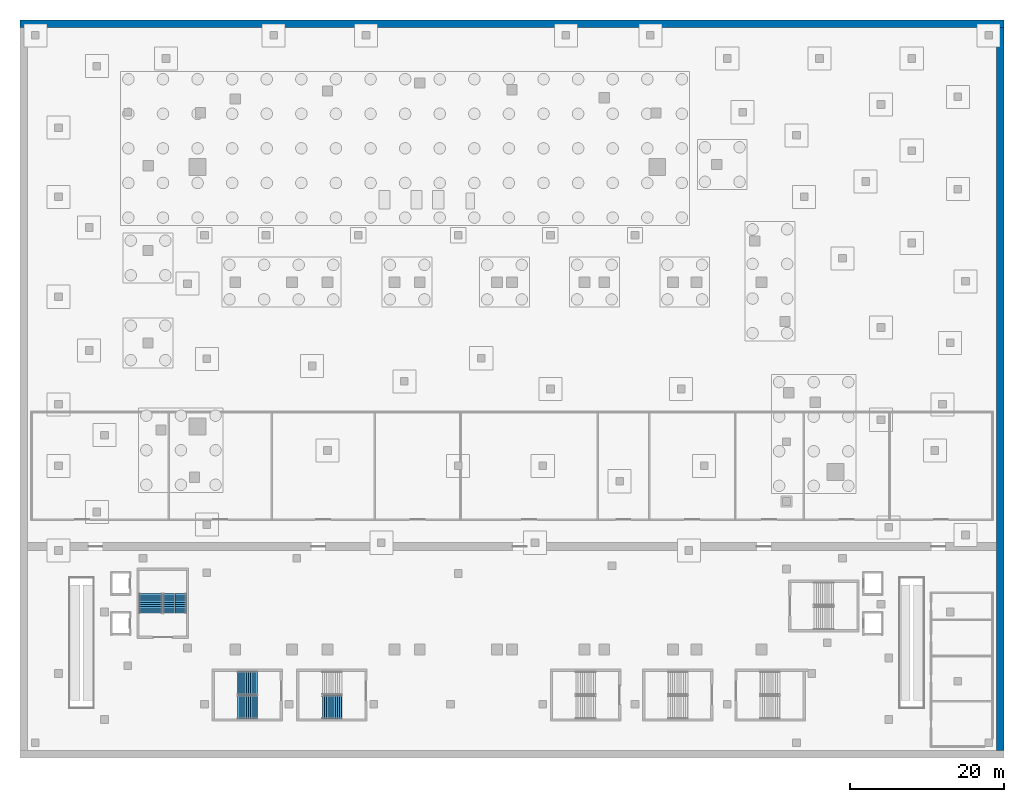
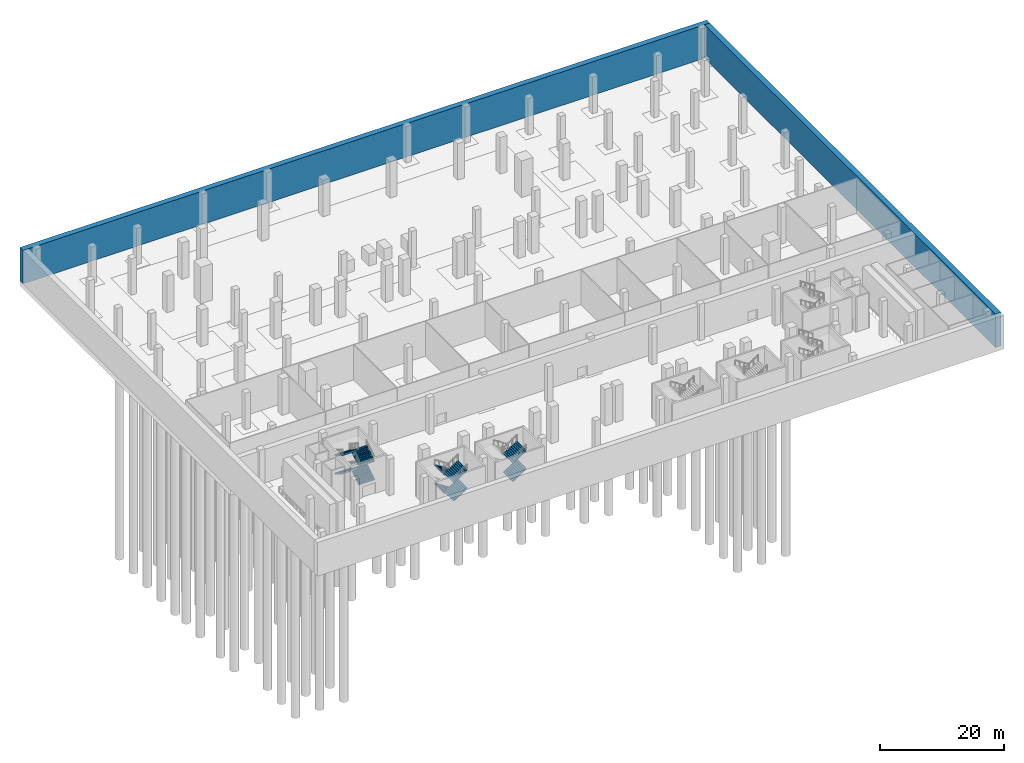
# One storey, part 8 of 15: 10 stair flights, 2 walls, 3 elements without a shape of their own.
"""IFC4 building model written with IfcOpenShell, lengths in metres."""

from ifc_helpers import new_model, si_unit, direction, frame, frame_2d, origin, place, context, subcontext, project, spatial, polyline, rectangle, outline, extrude, material, layer, layer_set, type_object, element, aggregate, save


model = new_model("IFC4")

# Units and contexts
model_context = context("Model", 3, precision=1e-05, world=origin(), true_north=direction((0.0, 1.0)))
body_context = subcontext(model_context, "Body", "Model", "MODEL_VIEW")
ifc_project = project(units=[si_unit("LENGTHUNIT", "METRE"), si_unit("AREAUNIT", "SQUARE_METRE"), si_unit("VOLUMEUNIT", "CUBIC_METRE"), si_unit("PLANEANGLEUNIT", "RADIAN"), si_unit("MASSUNIT", "GRAM", prefix="KILO")], contexts=[model_context])

# Site, building, storey
site_placement = place(None, origin())
site = spatial("IfcSite", under=ifc_project, at=site_placement, CompositionType="ELEMENT")
building_placement = place(site_placement, origin())
building = spatial("IfcBuilding", under=site, at=building_placement, Name="Wharfspan Tower", CompositionType="ELEMENT")
storey_placement = place(building_placement, frame((0.0, 0.0, -7.199951)))
storey = spatial("IfcBuildingStorey", under=building, at=storey_placement, Name="B1", CompositionType="ELEMENT", Elevation=-7.199951)

# Walls
ifc_material_1 = material(Name="Concrete C35/45", Category="concrete")
ifc_layer = layer(ifc_material_1, 1.0)
ifc_layer_set = layer_set([ifc_layer], Name="Concrete C35/45")
wall_type = type_object("IfcWallType", Name="Diaphragm wall 1000", PredefinedType="SOLIDWALL", material=ifc_layer_set)
wall_1_placement = place(storey_placement, frame((-16.0, 59.5, 0.0), z_axis=(0.0, 0.0, 1.0), x_axis=(1.0, 0.0, 0.0)))
element("IfcWall", 1, at=wall_1_placement, inside=storey, type_object=wall_type, Name="Diaphragm wall", PredefinedType="SOLIDWALL", context=body_context, shape_type="SweptSolid", body=[
    extrude(rectangle(XDim=128.0, YDim=1.0, at=frame_2d((64.0, 0.0))), origin(), (0.0, 0.0, 1.0), 6.599854),
])
wall_2_placement = place(storey_placement, frame((111.5, -35.0, 0.0), z_axis=(0.0, 0.0, 1.0), x_axis=(0.0, 1.0, 0.0)))
element("IfcWall", 2, at=wall_2_placement, inside=storey, type_object=wall_type, Name="Diaphragm wall", PredefinedType="SOLIDWALL", context=body_context, shape_type="SweptSolid", body=[
    extrude(rectangle(XDim=94.0, YDim=1.0, at=frame_2d((47.0, 0.0))), origin(), (0.0, 0.0, 1.0), 6.599854),
])

# Stair, stair flights
ifc_material_2 = material(Name="Concrete C40/50", Category="concrete")
stair_type = type_object("IfcStairType", Name="Half-turn stair 3000 wide 40 risers 180 mm", PredefinedType="HALF_TURN_STAIR", material=ifc_material_2)
stair_1_placement = place(storey_placement, origin())
stair_1 = element("IfcStair", 3, at=stair_1_placement, inside=storey, type_object=stair_type, Name="B1 stair SB1", PredefinedType="HALF_TURN_STAIR")
stair_flight_type = type_object("IfcStairFlightType", Name="Stair flight 3000 wide 40 risers 180 mm", PredefinedType="STRAIGHT", material=ifc_material_2)
stair_flight_1_placement = place(storey_placement, frame((14.850098, -26.25, 0.0), z_axis=(0.0, 0.0, 1.0), x_axis=(-1.0, 0.0, 0.0)))
stair_flight_1 = element("IfcStairFlight", 4, at=stair_flight_1_placement, type_object=stair_flight_type, Name="SB1 flight 1", NumberOfRisers=10, NumberOfTreads=9, PredefinedType="STRAIGHT", RiserHeight=0.18, TreadLength=0.28, context=body_context, shape_type="SweptSolid", body=[
    extrude(outline(polyline([(-0.011963, 0.0), (-0.011963, 0.179932), (0.0, 0.179932), (0.280029, 0.179932), (0.280029, 0.360107), (0.560059, 0.360107), (0.560059, 0.540039), (0.840088, 0.540039), (0.840088, 0.719971), (1.120117, 0.719971), (1.120117, 0.899902), (1.399902, 0.899902), (1.399902, 1.080078), (1.679932, 1.080078), (1.679932, 1.26001), (1.959961, 1.26001), (1.959961, 1.439941), (2.23999, 1.439941), (2.23999, 1.620117), (2.52002, 1.620117), (2.531982, 1.800049), (2.531982, 1.441895), (0.2771, 0.0), (-0.011963, 0.0)])), frame((0.0, 1.5, 0.0), z_axis=(0.0, -1.0, 0.0), x_axis=(1.0, 0.0, 0.0)), (0.0, 0.0, 1.0), 1.479492),
    extrude(outline(polyline([(-0.011963, 0.0), (-0.011963, 0.179932), (0.0, 0.179932), (0.280029, 0.179932), (0.280029, 0.360107), (0.560059, 0.360107), (0.560059, 0.540039), (0.840088, 0.540039), (0.840088, 0.719971), (1.120117, 0.719971), (1.120117, 0.899902), (1.399902, 0.899902), (1.399902, 1.080078), (1.679932, 1.080078), (1.679932, 1.26001), (1.959961, 1.26001), (1.959961, 1.439941), (2.23999, 1.439941), (2.23999, 1.620117), (2.52002, 1.620117), (2.531982, 1.800049), (2.531982, 1.441895), (0.2771, 0.0), (-0.011963, 0.0)])), frame((0.0, 0.019531, 0.0), z_axis=(0.0, -1.0, 0.0), x_axis=(1.0, 0.0, 0.0)), (0.0, 0.0, 1.0), 0.019043),
    extrude(outline(polyline([(-0.011963, 0.0), (-0.011963, 0.179932), (0.0, 0.179932), (0.280029, 0.179932), (0.280029, 0.360107), (0.560059, 0.360107), (0.560059, 0.540039), (0.840088, 0.540039), (0.840088, 0.719971), (1.120117, 0.719971), (1.120117, 0.899902), (1.399902, 0.899902), (1.399902, 1.080078), (1.679932, 1.080078), (1.679932, 1.26001), (1.959961, 1.26001), (1.959961, 1.439941), (2.23999, 1.439941), (2.23999, 1.620117), (2.52002, 1.620117), (2.531982, 1.800049), (2.531982, 1.441895), (0.2771, 0.0), (-0.011963, 0.0)])), frame((0.0, -0.000488, 0.0), z_axis=(0.0, -1.0, 0.0), x_axis=(1.0, 0.0, 0.0)), (0.0, 0.0, 1.0), 0.019043),
    extrude(outline(polyline([(-0.011963, 0.0), (-0.011963, 0.179932), (0.0, 0.179932), (0.280029, 0.179932), (0.280029, 0.360107), (0.560059, 0.360107), (0.560059, 0.540039), (0.840088, 0.540039), (0.840088, 0.719971), (1.120117, 0.719971), (1.120117, 0.899902), (1.399902, 0.899902), (1.399902, 1.080078), (1.679932, 1.080078), (1.679932, 1.26001), (1.959961, 1.26001), (1.959961, 1.439941), (2.23999, 1.439941), (2.23999, 1.620117), (2.52002, 1.620117), (2.531982, 1.800049), (2.531982, 1.441895), (0.2771, 0.0), (-0.011963, 0.0)])), frame((0.0, -0.020508, 0.0), z_axis=(0.0, -1.0, 0.0), x_axis=(1.0, 0.0, 0.0)), (0.0, 0.0, 1.0), 1.479492),
])
stair_flight_2_placement = place(storey_placement, frame((12.330078, -29.399902, 1.800049), z_axis=(0.0, 0.0, 1.0), x_axis=(1.0, 0.0, 0.0)))
stair_flight_2 = element("IfcStairFlight", 5, at=stair_flight_2_placement, type_object=stair_flight_type, Name="SB1 flight 2", NumberOfRisers=10, NumberOfTreads=9, PredefinedType="STRAIGHT", RiserHeight=0.18, TreadLength=0.28, context=body_context, shape_type="SweptSolid", body=[
    extrude(outline(polyline([(-0.011963, 0.0), (-0.011963, 0.179932), (0.0, 0.179932), (0.280029, 0.179932), (0.280029, 0.360107), (0.560059, 0.360107), (0.560059, 0.540039), (0.840088, 0.540039), (0.840088, 0.719971), (1.120117, 0.719971), (1.120117, 0.899902), (1.399902, 0.899902), (1.399902, 1.080078), (1.679932, 1.080078), (1.679932, 1.26001), (1.959961, 1.26001), (1.959961, 1.439941), (2.23999, 1.439941), (2.23999, 1.620117), (2.52002, 1.620117), (2.531982, 1.800049), (2.531982, 1.441895), (0.2771, 0.0), (-0.011963, 0.0)])), frame((0.0, 1.5, 0.0), z_axis=(0.0, -1.0, 0.0), x_axis=(1.0, 0.0, 0.0)), (0.0, 0.0, 1.0), 1.479492),
    extrude(outline(polyline([(-0.011963, 0.0), (-0.011963, 0.179932), (0.0, 0.179932), (0.280029, 0.179932), (0.280029, 0.360107), (0.560059, 0.360107), (0.560059, 0.540039), (0.840088, 0.540039), (0.840088, 0.719971), (1.120117, 0.719971), (1.120117, 0.899902), (1.399902, 0.899902), (1.399902, 1.080078), (1.679932, 1.080078), (1.679932, 1.26001), (1.959961, 1.26001), (1.959961, 1.439941), (2.23999, 1.439941), (2.23999, 1.620117), (2.52002, 1.620117), (2.531982, 1.800049), (2.531982, 1.441895), (0.2771, 0.0), (-0.011963, 0.0)])), frame((0.0, 0.019531, 0.0), z_axis=(0.0, -1.0, 0.0), x_axis=(1.0, 0.0, 0.0)), (0.0, 0.0, 1.0), 0.019043),
    extrude(outline(polyline([(-0.011963, 0.0), (-0.011963, 0.179932), (0.0, 0.179932), (0.280029, 0.179932), (0.280029, 0.360107), (0.560059, 0.360107), (0.560059, 0.540039), (0.840088, 0.540039), (0.840088, 0.719971), (1.120117, 0.719971), (1.120117, 0.899902), (1.399902, 0.899902), (1.399902, 1.080078), (1.679932, 1.080078), (1.679932, 1.26001), (1.959961, 1.26001), (1.959961, 1.439941), (2.23999, 1.439941), (2.23999, 1.620117), (2.52002, 1.620117), (2.531982, 1.800049), (2.531982, 1.441895), (0.2771, 0.0), (-0.011963, 0.0)])), frame((0.0, -0.000488, 0.0), z_axis=(0.0, -1.0, 0.0), x_axis=(1.0, 0.0, 0.0)), (0.0, 0.0, 1.0), 0.019043),
    extrude(outline(polyline([(-0.011963, 0.0), (-0.011963, 0.179932), (0.0, 0.179932), (0.280029, 0.179932), (0.280029, 0.360107), (0.560059, 0.360107), (0.560059, 0.540039), (0.840088, 0.540039), (0.840088, 0.719971), (1.120117, 0.719971), (1.120117, 0.899902), (1.399902, 0.899902), (1.399902, 1.080078), (1.679932, 1.080078), (1.679932, 1.26001), (1.959961, 1.26001), (1.959961, 1.439941), (2.23999, 1.439941), (2.23999, 1.620117), (2.52002, 1.620117), (2.531982, 1.800049), (2.531982, 1.441895), (0.2771, 0.0), (-0.011963, 0.0)])), frame((0.0, -0.020508, 0.0), z_axis=(0.0, -1.0, 0.0), x_axis=(1.0, 0.0, 0.0)), (0.0, 0.0, 1.0), 1.479492),
])
stair_flight_3_placement = place(storey_placement, frame((14.850098, -26.25, 3.599854), z_axis=(0.0, 0.0, 1.0), x_axis=(-1.0, 0.0, 0.0)))
stair_flight_3 = element("IfcStairFlight", 6, at=stair_flight_3_placement, type_object=stair_flight_type, Name="SB1 flight 3", NumberOfRisers=10, NumberOfTreads=9, PredefinedType="STRAIGHT", RiserHeight=0.18, TreadLength=0.28, context=body_context, shape_type="SweptSolid", body=[
    extrude(outline(polyline([(-0.011963, 0.0), (-0.011963, 0.179932), (0.0, 0.179932), (0.280029, 0.179932), (0.280029, 0.360107), (0.560059, 0.360107), (0.560059, 0.540039), (0.840088, 0.540039), (0.840088, 0.719971), (1.120117, 0.719971), (1.120117, 0.899902), (1.399902, 0.899902), (1.399902, 1.080078), (1.679932, 1.080078), (1.679932, 1.26001), (1.959961, 1.26001), (1.959961, 1.439941), (2.23999, 1.439941), (2.23999, 1.620117), (2.52002, 1.620117), (2.531982, 1.800049), (2.531982, 1.441895), (0.2771, 0.0), (-0.011963, 0.0)])), frame((0.0, 1.5, 0.0), z_axis=(0.0, -1.0, 0.0), x_axis=(1.0, 0.0, 0.0)), (0.0, 0.0, 1.0), 1.479492),
    extrude(outline(polyline([(-0.011963, 0.0), (-0.011963, 0.179932), (0.0, 0.179932), (0.280029, 0.179932), (0.280029, 0.360107), (0.560059, 0.360107), (0.560059, 0.540039), (0.840088, 0.540039), (0.840088, 0.719971), (1.120117, 0.719971), (1.120117, 0.899902), (1.399902, 0.899902), (1.399902, 1.080078), (1.679932, 1.080078), (1.679932, 1.26001), (1.959961, 1.26001), (1.959961, 1.439941), (2.23999, 1.439941), (2.23999, 1.620117), (2.52002, 1.620117), (2.531982, 1.800049), (2.531982, 1.441895), (0.2771, 0.0), (-0.011963, 0.0)])), frame((0.0, 0.019531, 0.0), z_axis=(0.0, -1.0, 0.0), x_axis=(1.0, 0.0, 0.0)), (0.0, 0.0, 1.0), 0.019043),
    extrude(outline(polyline([(-0.011963, 0.0), (-0.011963, 0.179932), (0.0, 0.179932), (0.280029, 0.179932), (0.280029, 0.360107), (0.560059, 0.360107), (0.560059, 0.540039), (0.840088, 0.540039), (0.840088, 0.719971), (1.120117, 0.719971), (1.120117, 0.899902), (1.399902, 0.899902), (1.399902, 1.080078), (1.679932, 1.080078), (1.679932, 1.26001), (1.959961, 1.26001), (1.959961, 1.439941), (2.23999, 1.439941), (2.23999, 1.620117), (2.52002, 1.620117), (2.531982, 1.800049), (2.531982, 1.441895), (0.2771, 0.0), (-0.011963, 0.0)])), frame((0.0, -0.000488, 0.0), z_axis=(0.0, -1.0, 0.0), x_axis=(1.0, 0.0, 0.0)), (0.0, 0.0, 1.0), 0.019043),
    extrude(outline(polyline([(-0.011963, 0.0), (-0.011963, 0.179932), (0.0, 0.179932), (0.280029, 0.179932), (0.280029, 0.360107), (0.560059, 0.360107), (0.560059, 0.540039), (0.840088, 0.540039), (0.840088, 0.719971), (1.120117, 0.719971), (1.120117, 0.899902), (1.399902, 0.899902), (1.399902, 1.080078), (1.679932, 1.080078), (1.679932, 1.26001), (1.959961, 1.26001), (1.959961, 1.439941), (2.23999, 1.439941), (2.23999, 1.620117), (2.52002, 1.620117), (2.531982, 1.800049), (2.531982, 1.441895), (0.2771, 0.0), (-0.011963, 0.0)])), frame((0.0, -0.020508, 0.0), z_axis=(0.0, -1.0, 0.0), x_axis=(1.0, 0.0, 0.0)), (0.0, 0.0, 1.0), 1.479492),
])
stair_flight_4_placement = place(storey_placement, frame((12.330078, -29.399902, 5.399902), z_axis=(0.0, 0.0, 1.0), x_axis=(1.0, 0.0, 0.0)))
stair_flight_4 = element("IfcStairFlight", 7, at=stair_flight_4_placement, type_object=stair_flight_type, Name="SB1 flight 4", NumberOfRisers=10, NumberOfTreads=9, PredefinedType="STRAIGHT", RiserHeight=0.18, TreadLength=0.28, context=body_context, shape_type="SweptSolid", body=[
    extrude(outline(polyline([(-0.011963, 0.0), (-0.011963, 0.179932), (0.0, 0.179932), (0.280029, 0.179932), (0.280029, 0.360107), (0.560059, 0.360107), (0.560059, 0.540039), (0.840088, 0.540039), (0.840088, 0.719971), (1.120117, 0.719971), (1.120117, 0.899902), (1.399902, 0.899902), (1.399902, 1.080078), (1.679932, 1.080078), (1.679932, 1.26001), (1.959961, 1.26001), (1.959961, 1.439941), (2.23999, 1.439941), (2.23999, 1.620117), (2.52002, 1.620117), (2.531982, 1.800049), (2.531982, 1.441895), (0.2771, 0.0), (-0.011963, 0.0)])), frame((0.0, 1.5, 0.0), z_axis=(0.0, -1.0, 0.0), x_axis=(1.0, 0.0, 0.0)), (0.0, 0.0, 1.0), 1.479492),
    extrude(outline(polyline([(-0.011963, 0.0), (-0.011963, 0.179932), (0.0, 0.179932), (0.280029, 0.179932), (0.280029, 0.360107), (0.560059, 0.360107), (0.560059, 0.540039), (0.840088, 0.540039), (0.840088, 0.719971), (1.120117, 0.719971), (1.120117, 0.899902), (1.399902, 0.899902), (1.399902, 1.080078), (1.679932, 1.080078), (1.679932, 1.26001), (1.959961, 1.26001), (1.959961, 1.439941), (2.23999, 1.439941), (2.23999, 1.620117), (2.52002, 1.620117), (2.531982, 1.800049), (2.531982, 1.441895), (0.2771, 0.0), (-0.011963, 0.0)])), frame((0.0, 0.019531, 0.0), z_axis=(0.0, -1.0, 0.0), x_axis=(1.0, 0.0, 0.0)), (0.0, 0.0, 1.0), 0.019043),
    extrude(outline(polyline([(-0.011963, 0.0), (-0.011963, 0.179932), (0.0, 0.179932), (0.280029, 0.179932), (0.280029, 0.360107), (0.560059, 0.360107), (0.560059, 0.540039), (0.840088, 0.540039), (0.840088, 0.719971), (1.120117, 0.719971), (1.120117, 0.899902), (1.399902, 0.899902), (1.399902, 1.080078), (1.679932, 1.080078), (1.679932, 1.26001), (1.959961, 1.26001), (1.959961, 1.439941), (2.23999, 1.439941), (2.23999, 1.620117), (2.52002, 1.620117), (2.531982, 1.800049), (2.531982, 1.441895), (0.2771, 0.0), (-0.011963, 0.0)])), frame((0.0, -0.000488, 0.0), z_axis=(0.0, -1.0, 0.0), x_axis=(1.0, 0.0, 0.0)), (0.0, 0.0, 1.0), 0.019043),
    extrude(outline(polyline([(-0.011963, 0.0), (-0.011963, 0.179932), (0.0, 0.179932), (0.280029, 0.179932), (0.280029, 0.360107), (0.560059, 0.360107), (0.560059, 0.540039), (0.840088, 0.540039), (0.840088, 0.719971), (1.120117, 0.719971), (1.120117, 0.899902), (1.399902, 0.899902), (1.399902, 1.080078), (1.679932, 1.080078), (1.679932, 1.26001), (1.959961, 1.26001), (1.959961, 1.439941), (2.23999, 1.439941), (2.23999, 1.620117), (2.52002, 1.620117), (2.531982, 1.800049), (2.531982, 1.441895), (0.2771, 0.0), (-0.011963, 0.0)])), frame((0.0, -0.020508, 0.0), z_axis=(0.0, -1.0, 0.0), x_axis=(1.0, 0.0, 0.0)), (0.0, 0.0, 1.0), 1.479492),
])
aggregate(stair_1, [stair_flight_1, stair_flight_2, stair_flight_3, stair_flight_4])

stair_2_placement = place(storey_placement, origin())
stair_2 = element("IfcStair", 8, at=stair_2_placement, inside=storey, type_object=stair_type, Name="B1 stair SB2", PredefinedType="HALF_TURN_STAIR")
stair_flight_5_placement = place(storey_placement, frame((23.330078, -29.399902, 1.800049), z_axis=(0.0, 0.0, 1.0), x_axis=(1.0, 0.0, 0.0)))
stair_flight_5 = element("IfcStairFlight", 9, at=stair_flight_5_placement, type_object=stair_flight_type, Name="SB2 flight 2", NumberOfRisers=10, NumberOfTreads=9, PredefinedType="STRAIGHT", RiserHeight=0.18, TreadLength=0.28, context=body_context, shape_type="SweptSolid", body=[
    extrude(outline(polyline([(-0.011963, 0.0), (-0.011963, 0.179932), (0.0, 0.179932), (0.280029, 0.179932), (0.280029, 0.360107), (0.560059, 0.360107), (0.560059, 0.540039), (0.840088, 0.540039), (0.840088, 0.719971), (1.120117, 0.719971), (1.120117, 0.899902), (1.399902, 0.899902), (1.399902, 1.080078), (1.679932, 1.080078), (1.679932, 1.26001), (1.959961, 1.26001), (1.959961, 1.439941), (2.23999, 1.439941), (2.23999, 1.620117), (2.52002, 1.620117), (2.531982, 1.800049), (2.531982, 1.441895), (0.2771, 0.0), (-0.011963, 0.0)])), frame((0.0, 1.5, 0.0), z_axis=(0.0, -1.0, 0.0), x_axis=(1.0, 0.0, 0.0)), (0.0, 0.0, 1.0), 1.479492),
    extrude(outline(polyline([(-0.011963, 0.0), (-0.011963, 0.179932), (0.0, 0.179932), (0.280029, 0.179932), (0.280029, 0.360107), (0.560059, 0.360107), (0.560059, 0.540039), (0.840088, 0.540039), (0.840088, 0.719971), (1.120117, 0.719971), (1.120117, 0.899902), (1.399902, 0.899902), (1.399902, 1.080078), (1.679932, 1.080078), (1.679932, 1.26001), (1.959961, 1.26001), (1.959961, 1.439941), (2.23999, 1.439941), (2.23999, 1.620117), (2.52002, 1.620117), (2.531982, 1.800049), (2.531982, 1.441895), (0.2771, 0.0), (-0.011963, 0.0)])), frame((0.0, 0.019531, 0.0), z_axis=(0.0, -1.0, 0.0), x_axis=(1.0, 0.0, 0.0)), (0.0, 0.0, 1.0), 0.019043),
    extrude(outline(polyline([(-0.011963, 0.0), (-0.011963, 0.179932), (0.0, 0.179932), (0.280029, 0.179932), (0.280029, 0.360107), (0.560059, 0.360107), (0.560059, 0.540039), (0.840088, 0.540039), (0.840088, 0.719971), (1.120117, 0.719971), (1.120117, 0.899902), (1.399902, 0.899902), (1.399902, 1.080078), (1.679932, 1.080078), (1.679932, 1.26001), (1.959961, 1.26001), (1.959961, 1.439941), (2.23999, 1.439941), (2.23999, 1.620117), (2.52002, 1.620117), (2.531982, 1.800049), (2.531982, 1.441895), (0.2771, 0.0), (-0.011963, 0.0)])), frame((0.0, -0.000488, 0.0), z_axis=(0.0, -1.0, 0.0), x_axis=(1.0, 0.0, 0.0)), (0.0, 0.0, 1.0), 0.019043),
    extrude(outline(polyline([(-0.011963, 0.0), (-0.011963, 0.179932), (0.0, 0.179932), (0.280029, 0.179932), (0.280029, 0.360107), (0.560059, 0.360107), (0.560059, 0.540039), (0.840088, 0.540039), (0.840088, 0.719971), (1.120117, 0.719971), (1.120117, 0.899902), (1.399902, 0.899902), (1.399902, 1.080078), (1.679932, 1.080078), (1.679932, 1.26001), (1.959961, 1.26001), (1.959961, 1.439941), (2.23999, 1.439941), (2.23999, 1.620117), (2.52002, 1.620117), (2.531982, 1.800049), (2.531982, 1.441895), (0.2771, 0.0), (-0.011963, 0.0)])), frame((0.0, -0.020508, 0.0), z_axis=(0.0, -1.0, 0.0), x_axis=(1.0, 0.0, 0.0)), (0.0, 0.0, 1.0), 1.479492),
])
stair_flight_6_placement = place(storey_placement, frame((23.330078, -29.399902, 5.399902), z_axis=(0.0, 0.0, 1.0), x_axis=(1.0, 0.0, 0.0)))
stair_flight_6 = element("IfcStairFlight", 10, at=stair_flight_6_placement, type_object=stair_flight_type, Name="SB2 flight 4", NumberOfRisers=10, NumberOfTreads=9, PredefinedType="STRAIGHT", RiserHeight=0.18, TreadLength=0.28, context=body_context, shape_type="SweptSolid", body=[
    extrude(outline(polyline([(-0.011963, 0.0), (-0.011963, 0.179932), (0.0, 0.179932), (0.280029, 0.179932), (0.280029, 0.360107), (0.560059, 0.360107), (0.560059, 0.540039), (0.840088, 0.540039), (0.840088, 0.719971), (1.120117, 0.719971), (1.120117, 0.899902), (1.399902, 0.899902), (1.399902, 1.080078), (1.679932, 1.080078), (1.679932, 1.26001), (1.959961, 1.26001), (1.959961, 1.439941), (2.23999, 1.439941), (2.23999, 1.620117), (2.52002, 1.620117), (2.531982, 1.800049), (2.531982, 1.441895), (0.2771, 0.0), (-0.011963, 0.0)])), frame((0.0, 1.5, 0.0), z_axis=(0.0, -1.0, 0.0), x_axis=(1.0, 0.0, 0.0)), (0.0, 0.0, 1.0), 1.479492),
    extrude(outline(polyline([(-0.011963, 0.0), (-0.011963, 0.179932), (0.0, 0.179932), (0.280029, 0.179932), (0.280029, 0.360107), (0.560059, 0.360107), (0.560059, 0.540039), (0.840088, 0.540039), (0.840088, 0.719971), (1.120117, 0.719971), (1.120117, 0.899902), (1.399902, 0.899902), (1.399902, 1.080078), (1.679932, 1.080078), (1.679932, 1.26001), (1.959961, 1.26001), (1.959961, 1.439941), (2.23999, 1.439941), (2.23999, 1.620117), (2.52002, 1.620117), (2.531982, 1.800049), (2.531982, 1.441895), (0.2771, 0.0), (-0.011963, 0.0)])), frame((0.0, 0.019531, 0.0), z_axis=(0.0, -1.0, 0.0), x_axis=(1.0, 0.0, 0.0)), (0.0, 0.0, 1.0), 0.019043),
    extrude(outline(polyline([(-0.011963, 0.0), (-0.011963, 0.179932), (0.0, 0.179932), (0.280029, 0.179932), (0.280029, 0.360107), (0.560059, 0.360107), (0.560059, 0.540039), (0.840088, 0.540039), (0.840088, 0.719971), (1.120117, 0.719971), (1.120117, 0.899902), (1.399902, 0.899902), (1.399902, 1.080078), (1.679932, 1.080078), (1.679932, 1.26001), (1.959961, 1.26001), (1.959961, 1.439941), (2.23999, 1.439941), (2.23999, 1.620117), (2.52002, 1.620117), (2.531982, 1.800049), (2.531982, 1.441895), (0.2771, 0.0), (-0.011963, 0.0)])), frame((0.0, -0.000488, 0.0), z_axis=(0.0, -1.0, 0.0), x_axis=(1.0, 0.0, 0.0)), (0.0, 0.0, 1.0), 0.019043),
    extrude(outline(polyline([(-0.011963, 0.0), (-0.011963, 0.179932), (0.0, 0.179932), (0.280029, 0.179932), (0.280029, 0.360107), (0.560059, 0.360107), (0.560059, 0.540039), (0.840088, 0.540039), (0.840088, 0.719971), (1.120117, 0.719971), (1.120117, 0.899902), (1.399902, 0.899902), (1.399902, 1.080078), (1.679932, 1.080078), (1.679932, 1.26001), (1.959961, 1.26001), (1.959961, 1.439941), (2.23999, 1.439941), (2.23999, 1.620117), (2.52002, 1.620117), (2.531982, 1.800049), (2.531982, 1.441895), (0.2771, 0.0), (-0.011963, 0.0)])), frame((0.0, -0.020508, 0.0), z_axis=(0.0, -1.0, 0.0), x_axis=(1.0, 0.0, 0.0)), (0.0, 0.0, 1.0), 1.479492),
])
aggregate(stair_2, [stair_flight_5, stair_flight_6])

stair_3_placement = place(storey_placement, origin())
stair_3 = element("IfcStair", 11, at=stair_3_placement, inside=storey, type_object=stair_type, Name="B1 stair SB6", PredefinedType="HALF_TURN_STAIR")
stair_flight_7_placement = place(storey_placement, frame((4.149902, -17.149902, 0.0), z_axis=(0.0, 0.0, 1.0), x_axis=(0.0, 1.0, 0.0)))
stair_flight_7 = element("IfcStairFlight", 12, at=stair_flight_7_placement, type_object=stair_flight_type, Name="SB6 flight 1", NumberOfRisers=10, NumberOfTreads=9, PredefinedType="STRAIGHT", RiserHeight=0.18, TreadLength=0.28, context=body_context, shape_type="SweptSolid", body=[
    extrude(outline(polyline([(-0.011963, 0.0), (-0.011963, 0.179932), (0.0, 0.179932), (0.280029, 0.179932), (0.280029, 0.360107), (0.560059, 0.360107), (0.560059, 0.540039), (0.840088, 0.540039), (0.840088, 0.719971), (1.120117, 0.719971), (1.120117, 0.899902), (1.399902, 0.899902), (1.399902, 1.080078), (1.679932, 1.080078), (1.679932, 1.26001), (1.959961, 1.26001), (1.959961, 1.439941), (2.23999, 1.439941), (2.23999, 1.620117), (2.52002, 1.620117), (2.531982, 1.800049), (2.531982, 1.441895), (0.2771, 0.0), (-0.011963, 0.0)])), frame((0.0, 1.5, 0.0), z_axis=(0.0, -1.0, 0.0), x_axis=(1.0, 0.0, 0.0)), (0.0, 0.0, 1.0), 1.479492),
    extrude(outline(polyline([(-0.011963, 0.0), (-0.011963, 0.179932), (0.0, 0.179932), (0.280029, 0.179932), (0.280029, 0.360107), (0.560059, 0.360107), (0.560059, 0.540039), (0.840088, 0.540039), (0.840088, 0.719971), (1.120117, 0.719971), (1.120117, 0.899902), (1.399902, 0.899902), (1.399902, 1.080078), (1.679932, 1.080078), (1.679932, 1.26001), (1.959961, 1.26001), (1.959961, 1.439941), (2.23999, 1.439941), (2.23999, 1.620117), (2.52002, 1.620117), (2.531982, 1.800049), (2.531982, 1.441895), (0.2771, 0.0), (-0.011963, 0.0)])), frame((0.0, 0.019531, 0.0), z_axis=(0.0, -1.0, 0.0), x_axis=(1.0, 0.0, 0.0)), (0.0, 0.0, 1.0), 0.019043),
    extrude(outline(polyline([(-0.011963, 0.0), (-0.011963, 0.179932), (0.0, 0.179932), (0.280029, 0.179932), (0.280029, 0.360107), (0.560059, 0.360107), (0.560059, 0.540039), (0.840088, 0.540039), (0.840088, 0.719971), (1.120117, 0.719971), (1.120117, 0.899902), (1.399902, 0.899902), (1.399902, 1.080078), (1.679932, 1.080078), (1.679932, 1.26001), (1.959961, 1.26001), (1.959961, 1.439941), (2.23999, 1.439941), (2.23999, 1.620117), (2.52002, 1.620117), (2.531982, 1.800049), (2.531982, 1.441895), (0.2771, 0.0), (-0.011963, 0.0)])), frame((0.0, -0.000488, 0.0), z_axis=(0.0, -1.0, 0.0), x_axis=(1.0, 0.0, 0.0)), (0.0, 0.0, 1.0), 0.019043),
    extrude(outline(polyline([(-0.011963, 0.0), (-0.011963, 0.179932), (0.0, 0.179932), (0.280029, 0.179932), (0.280029, 0.360107), (0.560059, 0.360107), (0.560059, 0.540039), (0.840088, 0.540039), (0.840088, 0.719971), (1.120117, 0.719971), (1.120117, 0.899902), (1.399902, 0.899902), (1.399902, 1.080078), (1.679932, 1.080078), (1.679932, 1.26001), (1.959961, 1.26001), (1.959961, 1.439941), (2.23999, 1.439941), (2.23999, 1.620117), (2.52002, 1.620117), (2.531982, 1.800049), (2.531982, 1.441895), (0.2771, 0.0), (-0.011963, 0.0)])), frame((0.0, -0.020508, 0.0), z_axis=(0.0, -1.0, 0.0), x_axis=(1.0, 0.0, 0.0)), (0.0, 0.0, 1.0), 1.479492),
])
stair_flight_8_placement = place(storey_placement, frame((1.0, -14.629883, 1.800049), z_axis=(0.0, 0.0, 1.0), x_axis=(0.0, -1.0, 0.0)))
stair_flight_8 = element("IfcStairFlight", 13, at=stair_flight_8_placement, type_object=stair_flight_type, Name="SB6 flight 2", NumberOfRisers=10, NumberOfTreads=9, PredefinedType="STRAIGHT", RiserHeight=0.18, TreadLength=0.28, context=body_context, shape_type="SweptSolid", body=[
    extrude(outline(polyline([(-0.011963, 0.0), (-0.011963, 0.179932), (0.0, 0.179932), (0.280029, 0.179932), (0.280029, 0.360107), (0.560059, 0.360107), (0.560059, 0.540039), (0.840088, 0.540039), (0.840088, 0.719971), (1.120117, 0.719971), (1.120117, 0.899902), (1.399902, 0.899902), (1.399902, 1.080078), (1.679932, 1.080078), (1.679932, 1.26001), (1.959961, 1.26001), (1.959961, 1.439941), (2.23999, 1.439941), (2.23999, 1.620117), (2.52002, 1.620117), (2.531982, 1.800049), (2.531982, 1.441895), (0.2771, 0.0), (-0.011963, 0.0)])), frame((0.0, 1.5, 0.0), z_axis=(0.0, -1.0, 0.0), x_axis=(1.0, 0.0, 0.0)), (0.0, 0.0, 1.0), 1.479492),
    extrude(outline(polyline([(-0.011963, 0.0), (-0.011963, 0.179932), (0.0, 0.179932), (0.280029, 0.179932), (0.280029, 0.360107), (0.560059, 0.360107), (0.560059, 0.540039), (0.840088, 0.540039), (0.840088, 0.719971), (1.120117, 0.719971), (1.120117, 0.899902), (1.399902, 0.899902), (1.399902, 1.080078), (1.679932, 1.080078), (1.679932, 1.26001), (1.959961, 1.26001), (1.959961, 1.439941), (2.23999, 1.439941), (2.23999, 1.620117), (2.52002, 1.620117), (2.531982, 1.800049), (2.531982, 1.441895), (0.2771, 0.0), (-0.011963, 0.0)])), frame((0.0, 0.019531, 0.0), z_axis=(0.0, -1.0, 0.0), x_axis=(1.0, 0.0, 0.0)), (0.0, 0.0, 1.0), 0.019043),
    extrude(outline(polyline([(-0.011963, 0.0), (-0.011963, 0.179932), (0.0, 0.179932), (0.280029, 0.179932), (0.280029, 0.360107), (0.560059, 0.360107), (0.560059, 0.540039), (0.840088, 0.540039), (0.840088, 0.719971), (1.120117, 0.719971), (1.120117, 0.899902), (1.399902, 0.899902), (1.399902, 1.080078), (1.679932, 1.080078), (1.679932, 1.26001), (1.959961, 1.26001), (1.959961, 1.439941), (2.23999, 1.439941), (2.23999, 1.620117), (2.52002, 1.620117), (2.531982, 1.800049), (2.531982, 1.441895), (0.2771, 0.0), (-0.011963, 0.0)])), frame((0.0, -0.000488, 0.0), z_axis=(0.0, -1.0, 0.0), x_axis=(1.0, 0.0, 0.0)), (0.0, 0.0, 1.0), 0.019043),
    extrude(outline(polyline([(-0.011963, 0.0), (-0.011963, 0.179932), (0.0, 0.179932), (0.280029, 0.179932), (0.280029, 0.360107), (0.560059, 0.360107), (0.560059, 0.540039), (0.840088, 0.540039), (0.840088, 0.719971), (1.120117, 0.719971), (1.120117, 0.899902), (1.399902, 0.899902), (1.399902, 1.080078), (1.679932, 1.080078), (1.679932, 1.26001), (1.959961, 1.26001), (1.959961, 1.439941), (2.23999, 1.439941), (2.23999, 1.620117), (2.52002, 1.620117), (2.531982, 1.800049), (2.531982, 1.441895), (0.2771, 0.0), (-0.011963, 0.0)])), frame((0.0, -0.020508, 0.0), z_axis=(0.0, -1.0, 0.0), x_axis=(1.0, 0.0, 0.0)), (0.0, 0.0, 1.0), 1.479492),
])
stair_flight_9_placement = place(storey_placement, frame((4.149902, -17.149902, 3.599854), z_axis=(0.0, 0.0, 1.0), x_axis=(0.0, 1.0, 0.0)))
stair_flight_9 = element("IfcStairFlight", 14, at=stair_flight_9_placement, type_object=stair_flight_type, Name="SB6 flight 3", NumberOfRisers=10, NumberOfTreads=9, PredefinedType="STRAIGHT", RiserHeight=0.18, TreadLength=0.28, context=body_context, shape_type="SweptSolid", body=[
    extrude(outline(polyline([(-0.011963, 0.0), (-0.011963, 0.179932), (0.0, 0.179932), (0.280029, 0.179932), (0.280029, 0.360107), (0.560059, 0.360107), (0.560059, 0.540039), (0.840088, 0.540039), (0.840088, 0.719971), (1.120117, 0.719971), (1.120117, 0.899902), (1.399902, 0.899902), (1.399902, 1.080078), (1.679932, 1.080078), (1.679932, 1.26001), (1.959961, 1.26001), (1.959961, 1.439941), (2.23999, 1.439941), (2.23999, 1.620117), (2.52002, 1.620117), (2.531982, 1.800049), (2.531982, 1.441895), (0.2771, 0.0), (-0.011963, 0.0)])), frame((0.0, 1.5, 0.0), z_axis=(0.0, -1.0, 0.0), x_axis=(1.0, 0.0, 0.0)), (0.0, 0.0, 1.0), 1.479492),
    extrude(outline(polyline([(-0.011963, 0.0), (-0.011963, 0.179932), (0.0, 0.179932), (0.280029, 0.179932), (0.280029, 0.360107), (0.560059, 0.360107), (0.560059, 0.540039), (0.840088, 0.540039), (0.840088, 0.719971), (1.120117, 0.719971), (1.120117, 0.899902), (1.399902, 0.899902), (1.399902, 1.080078), (1.679932, 1.080078), (1.679932, 1.26001), (1.959961, 1.26001), (1.959961, 1.439941), (2.23999, 1.439941), (2.23999, 1.620117), (2.52002, 1.620117), (2.531982, 1.800049), (2.531982, 1.441895), (0.2771, 0.0), (-0.011963, 0.0)])), frame((0.0, 0.019531, 0.0), z_axis=(0.0, -1.0, 0.0), x_axis=(1.0, 0.0, 0.0)), (0.0, 0.0, 1.0), 0.019043),
    extrude(outline(polyline([(-0.011963, 0.0), (-0.011963, 0.179932), (0.0, 0.179932), (0.280029, 0.179932), (0.280029, 0.360107), (0.560059, 0.360107), (0.560059, 0.540039), (0.840088, 0.540039), (0.840088, 0.719971), (1.120117, 0.719971), (1.120117, 0.899902), (1.399902, 0.899902), (1.399902, 1.080078), (1.679932, 1.080078), (1.679932, 1.26001), (1.959961, 1.26001), (1.959961, 1.439941), (2.23999, 1.439941), (2.23999, 1.620117), (2.52002, 1.620117), (2.531982, 1.800049), (2.531982, 1.441895), (0.2771, 0.0), (-0.011963, 0.0)])), frame((0.0, -0.000488, 0.0), z_axis=(0.0, -1.0, 0.0), x_axis=(1.0, 0.0, 0.0)), (0.0, 0.0, 1.0), 0.019043),
    extrude(outline(polyline([(-0.011963, 0.0), (-0.011963, 0.179932), (0.0, 0.179932), (0.280029, 0.179932), (0.280029, 0.360107), (0.560059, 0.360107), (0.560059, 0.540039), (0.840088, 0.540039), (0.840088, 0.719971), (1.120117, 0.719971), (1.120117, 0.899902), (1.399902, 0.899902), (1.399902, 1.080078), (1.679932, 1.080078), (1.679932, 1.26001), (1.959961, 1.26001), (1.959961, 1.439941), (2.23999, 1.439941), (2.23999, 1.620117), (2.52002, 1.620117), (2.531982, 1.800049), (2.531982, 1.441895), (0.2771, 0.0), (-0.011963, 0.0)])), frame((0.0, -0.020508, 0.0), z_axis=(0.0, -1.0, 0.0), x_axis=(1.0, 0.0, 0.0)), (0.0, 0.0, 1.0), 1.479492),
])
stair_flight_10_placement = place(storey_placement, frame((1.0, -14.629883, 5.399902), z_axis=(0.0, 0.0, 1.0), x_axis=(0.0, -1.0, 0.0)))
stair_flight_10 = element("IfcStairFlight", 15, at=stair_flight_10_placement, type_object=stair_flight_type, Name="SB6 flight 4", NumberOfRisers=10, NumberOfTreads=9, PredefinedType="STRAIGHT", RiserHeight=0.18, TreadLength=0.28, context=body_context, shape_type="SweptSolid", body=[
    extrude(outline(polyline([(-0.011963, 0.0), (-0.011963, 0.179932), (0.0, 0.179932), (0.280029, 0.179932), (0.280029, 0.360107), (0.560059, 0.360107), (0.560059, 0.540039), (0.840088, 0.540039), (0.840088, 0.719971), (1.120117, 0.719971), (1.120117, 0.899902), (1.399902, 0.899902), (1.399902, 1.080078), (1.679932, 1.080078), (1.679932, 1.26001), (1.959961, 1.26001), (1.959961, 1.439941), (2.23999, 1.439941), (2.23999, 1.620117), (2.52002, 1.620117), (2.531982, 1.800049), (2.531982, 1.441895), (0.2771, 0.0), (-0.011963, 0.0)])), frame((0.0, 1.5, 0.0), z_axis=(0.0, -1.0, 0.0), x_axis=(1.0, 0.0, 0.0)), (0.0, 0.0, 1.0), 1.479492),
    extrude(outline(polyline([(-0.011963, 0.0), (-0.011963, 0.179932), (0.0, 0.179932), (0.280029, 0.179932), (0.280029, 0.360107), (0.560059, 0.360107), (0.560059, 0.540039), (0.840088, 0.540039), (0.840088, 0.719971), (1.120117, 0.719971), (1.120117, 0.899902), (1.399902, 0.899902), (1.399902, 1.080078), (1.679932, 1.080078), (1.679932, 1.26001), (1.959961, 1.26001), (1.959961, 1.439941), (2.23999, 1.439941), (2.23999, 1.620117), (2.52002, 1.620117), (2.531982, 1.800049), (2.531982, 1.441895), (0.2771, 0.0), (-0.011963, 0.0)])), frame((0.0, 0.019531, 0.0), z_axis=(0.0, -1.0, 0.0), x_axis=(1.0, 0.0, 0.0)), (0.0, 0.0, 1.0), 0.019043),
    extrude(outline(polyline([(-0.011963, 0.0), (-0.011963, 0.179932), (0.0, 0.179932), (0.280029, 0.179932), (0.280029, 0.360107), (0.560059, 0.360107), (0.560059, 0.540039), (0.840088, 0.540039), (0.840088, 0.719971), (1.120117, 0.719971), (1.120117, 0.899902), (1.399902, 0.899902), (1.399902, 1.080078), (1.679932, 1.080078), (1.679932, 1.26001), (1.959961, 1.26001), (1.959961, 1.439941), (2.23999, 1.439941), (2.23999, 1.620117), (2.52002, 1.620117), (2.531982, 1.800049), (2.531982, 1.441895), (0.2771, 0.0), (-0.011963, 0.0)])), frame((0.0, -0.000488, 0.0), z_axis=(0.0, -1.0, 0.0), x_axis=(1.0, 0.0, 0.0)), (0.0, 0.0, 1.0), 0.019043),
    extrude(outline(polyline([(-0.011963, 0.0), (-0.011963, 0.179932), (0.0, 0.179932), (0.280029, 0.179932), (0.280029, 0.360107), (0.560059, 0.360107), (0.560059, 0.540039), (0.840088, 0.540039), (0.840088, 0.719971), (1.120117, 0.719971), (1.120117, 0.899902), (1.399902, 0.899902), (1.399902, 1.080078), (1.679932, 1.080078), (1.679932, 1.26001), (1.959961, 1.26001), (1.959961, 1.439941), (2.23999, 1.439941), (2.23999, 1.620117), (2.52002, 1.620117), (2.531982, 1.800049), (2.531982, 1.441895), (0.2771, 0.0), (-0.011963, 0.0)])), frame((0.0, -0.020508, 0.0), z_axis=(0.0, -1.0, 0.0), x_axis=(1.0, 0.0, 0.0)), (0.0, 0.0, 1.0), 1.479492),
])
aggregate(stair_3, [stair_flight_7, stair_flight_8, stair_flight_9, stair_flight_10])

save(model, "model.ifc")
